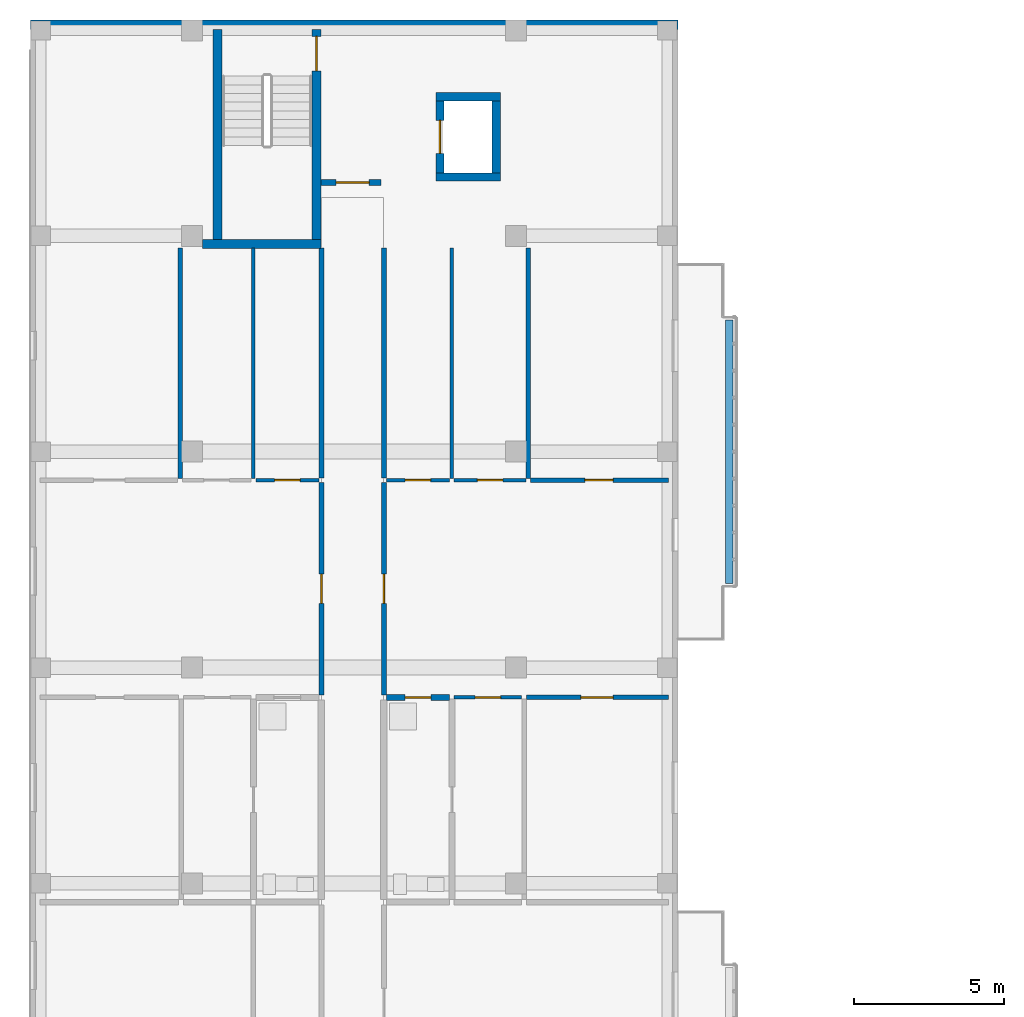
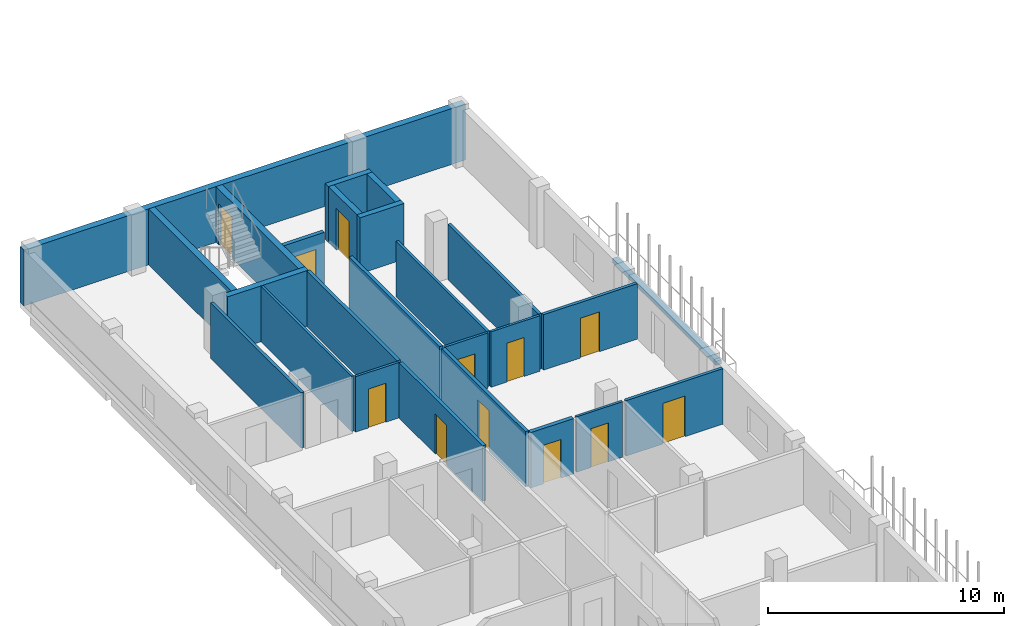
# One storey, part 32 of 56: 25 walls, 12 doors, 12 openings.
"""IFC4 building model written with IfcOpenShell, lengths in metres."""

from ifc_helpers import new_model, si_unit, derived_unit, direction, frame, frame_2d, origin, place, context, subcontext, project, spatial, rectangle, extrude, material, layer, layer_set, type_object, element, fill, save


model = new_model("IFC4")

# Units and contexts
model_context = context("Model", 3, precision=1e-05, world=origin(), true_north=direction((0.0, 1.0)))
body_context = subcontext(model_context, "Body", "Model", "MODEL_VIEW")
ifc_project = project(units=[si_unit("LENGTHUNIT", "METRE"), si_unit("AREAUNIT", "SQUARE_METRE"), si_unit("VOLUMEUNIT", "CUBIC_METRE"), si_unit("PLANEANGLEUNIT", "RADIAN"), si_unit("MASSUNIT", "GRAM", prefix="KILO"), derived_unit("THERMALTRANSMITTANCEUNIT", [(si_unit("MASSUNIT", "GRAM", prefix="KILO"), 1), (si_unit("TIMEUNIT", "SECOND"), -3), (si_unit("THERMODYNAMICTEMPERATUREUNIT", "KELVIN"), -1)])], contexts=[model_context])

# Site, building, storey
site_placement = place(None, origin())
site = spatial("IfcSite", under=ifc_project, at=site_placement, CompositionType="ELEMENT")
building_placement = place(site_placement, origin())
building = spatial("IfcBuilding", under=site, at=building_placement, Name="Ochrekiln Boulevard Commons", CompositionType="ELEMENT")
storey_placement = place(building_placement, frame((0.0, 0.0, 12.074951171875)))
storey = spatial("IfcBuildingStorey", under=building, at=storey_placement, Name="L03", CompositionType="ELEMENT", Elevation=12.074951171875)

# Wall
ifc_material_1 = material(Name="Desert ochre clinker brick masonry ASTM C216 Grade SW", Category="masonry")
ifc_layer_1 = layer(ifc_material_1, 0.320068359375)
ifc_layer_set_1 = layer_set([ifc_layer_1], Name="Desert ochre clinker brick masonry ASTM C216 Grade SW")
wall_type_1 = type_object("IfcWallType", Name="WL-EXT-OCHRE-320", PredefinedType="SOLIDWALL", material=ifc_layer_set_1)
wall_1_placement = place(storey_placement, frame((0.0, 118.639892578125, 0.0), z_axis=(0.0, 0.0, 1.0), x_axis=(1.0, 0.0, 0.0)))
element("IfcWall", 1, at=wall_1_placement, inside=storey, type_object=wall_type_1, Name="Block A L03 N Exterior Wall", PredefinedType="SOLIDWALL", context=body_context, shape_type="SweptSolid", body=[
    extrude(rectangle(XDim=21.60009765625, YDim=0.320068359375, at=frame_2d((10.800048828125, 0.0))), origin(), (0.0, 0.0, 1.0), 2.89013671875),
])

# Wall, opening, door
ifc_material_2 = material(Name="Moisture-resistant cementitious tile backer wall")
ifc_layer_2 = layer(ifc_material_2, 0.199951171875)
ifc_layer_set_2 = layer_set([ifc_layer_2], Name="Moisture-resistant cementitious tile backer wall")
wall_type_2 = type_object("IfcWallType", Name="WL-PLM-200", PredefinedType="PLUMBINGWALL", material=ifc_layer_set_2)
wall_2_placement = place(storey_placement, frame((11.8720703125, 96.2041015625, 0.0), z_axis=(0.0, 0.0, 1.0), x_axis=(1.0, 0.0, 0.0)))
wall_2 = element("IfcWall", 2, at=wall_2_placement, inside=storey, type_object=wall_type_2, Name="L03 Interior Wall W-PW200", PredefinedType="PLUMBINGWALL", context=body_context, shape_type="SweptSolid", body=[
    extrude(rectangle(XDim=2.10791015625, YDim=0.199951171875, at=frame_2d((1.053955078125, 0.0))), origin(), (0.0, 0.0, 1.0), 2.8701171875),
])
opening_1_placement = place(wall_2_placement, frame((0.6279296875, 0.0, 0.0)))
opening_1 = element("IfcOpeningElement", 3, at=opening_1_placement, cuts=wall_2, Name="Opening D-L03-465", PredefinedType="OPENING", context=body_context, shape_type="SweptSolid", body=[
    extrude(rectangle(XDim=0.860107421875, YDim=2.0, at=frame_2d((0.43017578125, 1.0))), frame((0.0, 0.10986328125, 0.0), z_axis=(0.0, -1.0, 0.0), x_axis=(1.0, 0.0, 0.0)), (0.0, 0.0, 1.0), 0.219970703125),
])
ifc_material_3 = material(Name="Solid core architectural oak door leaf")
door_type_1 = type_object("IfcDoorType", Name="DR-INT-BTH-086", OperationType="NOTDEFINED", PredefinedType="DOOR", material=ifc_material_3)
door_1_placement = place(opening_1_placement, frame((0.860107421875, 0.0, 0.0), z_axis=(0.0, 0.0, 1.0), x_axis=(-1.0, 0.0, 0.0)))
door_1 = element("IfcDoor", 4, at=door_1_placement, inside=storey, type_object=door_type_1, Name="L03 Interior Door to Apartment Bathroom", OperationType="SINGLE_SWING_LEFT", OverallHeight=2.0, OverallWidth=0.860107421875, PredefinedType="DOOR", context=body_context, shape_type="SweptSolid", body=[
    extrude(rectangle(XDim=0.860107421875, YDim=2.0, at=frame_2d((0.43017578125, 1.0))), frame((0.0, 0.02490234375, 0.0), z_axis=(0.0, -1.0, 0.0), x_axis=(1.0, 0.0, 0.0)), (0.0, 0.0, 1.0), 0.050048828125),
])
fill(opening_1, door_1)

# Wall
ifc_material_4 = material(Name="Glazed architectural terracotta ASTM C1405", Category="masonry")
ifc_layer_3 = layer(ifc_material_4, 0.25)
ifc_layer_set_3 = layer_set([ifc_layer_3], Name="Glazed architectural terracotta ASTM C1405")
wall_type_3 = type_object("IfcWallType", Name="WL-PLN-250", PredefinedType="PARAPET", material=ifc_layer_set_3)
wall_3_placement = place(storey_placement, frame((23.320068359375, 100.010009765625, 0.0), z_axis=(0.0, 0.0, 1.0), x_axis=(0.0, 1.0, 0.0)))
element("IfcWall", 5, at=wall_3_placement, inside=storey, type_object=wall_type_3, Name="Block A L03 Balcony Terracotta Planter Box 2", PredefinedType="PARAPET", context=body_context, shape_type="SweptSolid", body=[
    extrude(rectangle(XDim=8.780029296875, YDim=0.25, at=frame_2d((4.39013671875, 0.0))), origin(), (0.0, 0.0, 1.0), 0.22998046875),
])

# Wall, opening, door
ifc_material_5 = material(Name="Fire-rated Type X gypsum board on steel studs", Category="steel")
ifc_layer_4 = layer(ifc_material_5, 0.1650390625)
ifc_layer_set_4 = layer_set([ifc_layer_4], Name="Fire-rated Type X gypsum board on steel studs")
wall_type_4 = type_object("IfcWallType", Name="WL-PT-CORR-165", PredefinedType="PARTITIONING", material=ifc_layer_set_4)
wall_4_placement = place(storey_placement, frame((9.7099609375, 96.283935546875, 0.0), z_axis=(0.0, 0.0, 1.0), x_axis=(0.0, 1.0, 0.0)))
wall_4 = element("IfcWall", 6, at=wall_4_placement, inside=storey, type_object=wall_type_4, Name="L03 Interior Wall W-PC165", PredefinedType="PARTITIONING", context=body_context, shape_type="SweptSolid", body=[
    extrude(rectangle(XDim=7.086181640625, YDim=0.1650390625, at=frame_2d((3.54296875, 0.0))), origin(), (0.0, 0.0, 1.0), 2.8701171875),
])
opening_2_placement = place(wall_4_placement, frame((3.052978515625, 0.0, 0.0)))
opening_2 = element("IfcOpeningElement", 7, at=opening_2_placement, cuts=wall_4, Name="Opening D-L03-450", PredefinedType="OPENING", context=body_context, shape_type="SweptSolid", body=[
    extrude(rectangle(XDim=0.97998046875, YDim=2.080078125, at=frame_2d((0.489990234375, 1.0400390625))), frame((0.0, 0.092529296875, 0.0), z_axis=(0.0, -1.0, 0.0), x_axis=(1.0, 0.0, 0.0)), (0.0, 0.0, 1.0), 0.18505859375),
])
door_type_2 = type_object("IfcDoorType", Name="DR-APT-60", OperationType="NOTDEFINED", PredefinedType="DOOR", material=ifc_material_3)
door_2_placement = place(opening_2_placement, origin())
door_2 = element("IfcDoor", 8, at=door_2_placement, inside=storey, type_object=door_type_2, Name="L03 Interior Door to Two-Bedroom Apartment Living Room", OperationType="SINGLE_SWING_RIGHT", OverallHeight=2.080078125, OverallWidth=0.97998046875, PredefinedType="DOOR", context=body_context, shape_type="SweptSolid", body=[
    extrude(rectangle(XDim=0.97998046875, YDim=2.080078125, at=frame_2d((0.489990234375, 1.0400390625))), frame((0.0, 0.02490234375, 0.0), z_axis=(0.0, -1.0, 0.0), x_axis=(1.0, 0.0, 0.0)), (0.0, 0.0, 1.0), 0.050048828125),
])
fill(opening_2, door_2)

# Wall
wall_5_placement = place(storey_placement, frame((9.7099609375, 103.530029296875, 0.0), z_axis=(0.0, 0.0, 1.0), x_axis=(0.0, 1.0, 0.0)))
element("IfcWall", 9, at=wall_5_placement, inside=storey, type_object=wall_type_4, Name="L03 Interior Wall W-PC165", PredefinedType="PARTITIONING", context=body_context, shape_type="SweptSolid", body=[
    extrude(rectangle(XDim=7.669921875, YDim=0.1650390625, at=frame_2d((3.8349609375, 0.0))), origin(), (0.0, 0.0, 1.0), 2.8701171875),
])

# Wall, opening, door
wall_6_placement = place(storey_placement, frame((11.7900390625, 96.283935546875, 0.0), z_axis=(0.0, 0.0, 1.0), x_axis=(0.0, 1.0, 0.0)))
wall_6 = element("IfcWall", 10, at=wall_6_placement, inside=storey, type_object=wall_type_4, Name="L03 Interior Wall W-PC165", PredefinedType="PARTITIONING", context=body_context, shape_type="SweptSolid", body=[
    extrude(rectangle(XDim=7.086181640625, YDim=0.1650390625, at=frame_2d((3.54296875, 0.0))), origin(), (0.0, 0.0, 1.0), 2.8701171875),
])
opening_3_placement = place(wall_6_placement, frame((3.052978515625, 0.0, 0.0)))
opening_3 = element("IfcOpeningElement", 11, at=opening_3_placement, cuts=wall_6, Name="Opening D-L03-453", PredefinedType="OPENING", context=body_context, shape_type="SweptSolid", body=[
    extrude(rectangle(XDim=0.97998046875, YDim=2.080078125, at=frame_2d((0.489990234375, 1.0400390625))), frame((0.0, 0.092529296875, 0.0), z_axis=(0.0, -1.0, 0.0), x_axis=(1.0, 0.0, 0.0)), (0.0, 0.0, 1.0), 0.18505859375),
])
door_3_placement = place(opening_3_placement, frame((0.97998046875, 0.0, 0.0), z_axis=(0.0, 0.0, 1.0), x_axis=(-1.0, 0.0, 0.0)))
door_3 = element("IfcDoor", 12, at=door_3_placement, inside=storey, type_object=door_type_2, Name="L03 Interior Door to Two-Bedroom Apartment Living Room", OperationType="SINGLE_SWING_LEFT", OverallHeight=2.080078125, OverallWidth=0.97998046875, PredefinedType="DOOR", context=body_context, shape_type="SweptSolid", body=[
    extrude(rectangle(XDim=0.97998046875, YDim=2.080078125, at=frame_2d((0.489990234375, 1.0400390625))), frame((0.0, 0.02490234375, 0.0), z_axis=(0.0, -1.0, 0.0), x_axis=(1.0, 0.0, 0.0)), (0.0, 0.0, 1.0), 0.050048828125),
])
fill(opening_3, door_3)

# Wall
wall_7_placement = place(storey_placement, frame((11.7900390625, 103.530029296875, 0.0), z_axis=(0.0, 0.0, 1.0), x_axis=(0.0, 1.0, 0.0)))
element("IfcWall", 13, at=wall_7_placement, inside=storey, type_object=wall_type_4, Name="L03 Interior Wall W-PC165", PredefinedType="PARTITIONING", context=body_context, shape_type="SweptSolid", body=[
    extrude(rectangle(XDim=7.669921875, YDim=0.1650390625, at=frame_2d((3.8349609375, 0.0))), origin(), (0.0, 0.0, 1.0), 2.8701171875),
])

# Wall, opening, door
ifc_layer_5 = layer(ifc_material_5, 0.18994140625)
ifc_layer_set_5 = layer_set([ifc_layer_5], Name="Fire-rated Type X gypsum board on steel studs")
wall_type_5 = type_object("IfcWallType", Name="WL-PT-LBY-190", PredefinedType="PARTITIONING", material=ifc_layer_set_5)
wall_8_placement = place(storey_placement, frame((9.699951171875, 113.3798828125, 0.0), z_axis=(0.0, 0.0, 1.0), x_axis=(1.0, 0.0, 0.0)))
wall_8 = element("IfcWall", 14, at=wall_8_placement, inside=storey, type_object=wall_type_5, Name="L03 Interior Wall W-PL190", PredefinedType="PARTITIONING", context=body_context, shape_type="SweptSolid", body=[
    extrude(rectangle(XDim=2.0, YDim=0.18994140625, at=frame_2d((1.0, 0.0))), origin(), (0.0, 0.0, 1.0), 2.8701171875),
])
opening_4_placement = place(wall_8_placement, frame((0.5, 0.0, 0.0)))
opening_4 = element("IfcOpeningElement", 15, at=opening_4_placement, cuts=wall_8, Name="Opening D-L03-447", PredefinedType="OPENING", context=body_context, shape_type="SweptSolid", body=[
    extrude(rectangle(XDim=1.10009765625, YDim=2.1201171875, at=frame_2d((0.550048828125, 1.06005859375))), frame((0.0, 0.10498046875, 0.0), z_axis=(0.0, -1.0, 0.0), x_axis=(1.0, 0.0, 0.0)), (0.0, 0.0, 1.0), 0.2099609375),
])
ifc_material_6 = material(Name="Hollow metal fire-rated steel door assembly", Category="steel")
door_type_3 = type_object("IfcDoorType", Name="DR-LOBBY-60", OperationType="NOTDEFINED", PredefinedType="DOOR", material=ifc_material_6)
door_4_placement = place(opening_4_placement, origin())
door_4 = element("IfcDoor", 16, at=door_4_placement, inside=storey, type_object=door_type_3, Name="L03 Interior Door to Fire Service Access Elevator Lobby", OperationType="SINGLE_SWING_LEFT", OverallHeight=2.1201171875, OverallWidth=1.10009765625, PredefinedType="DOOR", context=body_context, shape_type="SweptSolid", body=[
    extrude(rectangle(XDim=1.10009765625, YDim=2.1201171875, at=frame_2d((0.550048828125, 1.06005859375))), frame((0.0, 0.02490234375, 0.0), z_axis=(0.0, -1.0, 0.0), x_axis=(1.0, 0.0, 0.0)), (0.0, 0.0, 1.0), 0.050048828125),
])
fill(opening_4, door_4)

ifc_layer_6 = layer(ifc_material_5, 0.1201171875)
ifc_layer_set_6 = layer_set([ifc_layer_6], Name="Fire-rated Type X gypsum board on steel studs")
wall_type_6 = type_object("IfcWallType", Name="WL-PT-LGT-120", PredefinedType="PARTITIONING", material=ifc_layer_set_6)
wall_9_placement = place(storey_placement, frame((7.52001953125, 103.449951171875, 0.0), z_axis=(0.0, 0.0, 1.0), x_axis=(1.0, 0.0, 0.0)))
wall_9 = element("IfcWall", 17, at=wall_9_placement, inside=storey, type_object=wall_type_6, Name="L03 Interior Wall W-PL120", PredefinedType="PARTITIONING", context=body_context, shape_type="SweptSolid", body=[
    extrude(rectangle(XDim=2.10791015625, YDim=0.1201171875, at=frame_2d((1.053955078125, 0.0))), origin(), (0.0, 0.0, 1.0), 2.8701171875),
])
opening_5_placement = place(wall_9_placement, frame((0.625, 0.0, 0.0)))
opening_5 = element("IfcOpeningElement", 18, at=opening_5_placement, cuts=wall_9, Name="Opening D-L03-459", PredefinedType="OPENING", context=body_context, shape_type="SweptSolid", body=[
    extrude(rectangle(XDim=0.85009765625, YDim=2.010009765625, at=frame_2d((0.425048828125, 1.0048828125))), frame((0.0, 0.070068359375, 0.0), z_axis=(0.0, -1.0, 0.0), x_axis=(1.0, 0.0, 0.0)), (0.0, 0.0, 1.0), 0.14013671875),
])
door_type_4 = type_object("IfcDoorType", Name="DR-INT-KIT-085", OperationType="NOTDEFINED", PredefinedType="DOOR", material=ifc_material_3)
door_5_placement = place(opening_5_placement, origin())
door_5 = element("IfcDoor", 19, at=door_5_placement, inside=storey, type_object=door_type_4, Name="L03 Interior Door to Apartment Kitchen", OperationType="SINGLE_SWING_LEFT", OverallHeight=2.010009765625, OverallWidth=0.85009765625, PredefinedType="DOOR", context=body_context, shape_type="SweptSolid", body=[
    extrude(rectangle(XDim=0.85009765625, YDim=2.010009765625, at=frame_2d((0.425048828125, 1.0048828125))), frame((0.0, 0.02490234375, 0.0), z_axis=(0.0, -1.0, 0.0), x_axis=(1.0, 0.0, 0.0)), (0.0, 0.0, 1.0), 0.050048828125),
])
fill(opening_5, door_5)

# Wall
wall_10_placement = place(storey_placement, frame((7.43994140625, 103.510009765625, 0.0), z_axis=(0.0, 0.0, 1.0), x_axis=(0.0, 1.0, 0.0)))
element("IfcWall", 20, at=wall_10_placement, inside=storey, type_object=wall_type_6, Name="L03 Interior Wall W-PL120", PredefinedType="PARTITIONING", context=body_context, shape_type="SweptSolid", body=[
    extrude(rectangle(XDim=7.68994140625, YDim=0.1201171875, at=frame_2d((3.844970703125, 0.0))), origin(), (0.0, 0.0, 1.0), 2.8701171875),
])

# Wall, opening, door
wall_11_placement = place(storey_placement, frame((11.8720703125, 103.449951171875, 0.0), z_axis=(0.0, 0.0, 1.0), x_axis=(1.0, 0.0, 0.0)))
wall_11 = element("IfcWall", 21, at=wall_11_placement, inside=storey, type_object=wall_type_6, Name="L03 Interior Wall W-PL120", PredefinedType="PARTITIONING", context=body_context, shape_type="SweptSolid", body=[
    extrude(rectangle(XDim=2.10791015625, YDim=0.1201171875, at=frame_2d((1.053955078125, 0.0))), origin(), (0.0, 0.0, 1.0), 2.8701171875),
])
opening_6_placement = place(wall_11_placement, frame((0.633056640625, 0.0, 0.0)))
opening_6 = element("IfcOpeningElement", 22, at=opening_6_placement, cuts=wall_11, Name="Opening D-L03-466", PredefinedType="OPENING", context=body_context, shape_type="SweptSolid", body=[
    extrude(rectangle(XDim=0.85009765625, YDim=2.010009765625, at=frame_2d((0.425048828125, 1.0048828125))), frame((0.0, 0.070068359375, 0.0), z_axis=(0.0, -1.0, 0.0), x_axis=(1.0, 0.0, 0.0)), (0.0, 0.0, 1.0), 0.14013671875),
])
door_6_placement = place(opening_6_placement, origin())
door_6 = element("IfcDoor", 23, at=door_6_placement, inside=storey, type_object=door_type_4, Name="L03 Interior Door to Apartment Kitchen", OperationType="SINGLE_SWING_RIGHT", OverallHeight=2.010009765625, OverallWidth=0.85009765625, PredefinedType="DOOR", context=body_context, shape_type="SweptSolid", body=[
    extrude(rectangle(XDim=0.85009765625, YDim=2.010009765625, at=frame_2d((0.425048828125, 1.0048828125))), frame((0.0, 0.02490234375, 0.0), z_axis=(0.0, -1.0, 0.0), x_axis=(1.0, 0.0, 0.0)), (0.0, 0.0, 1.0), 0.050048828125),
])
fill(opening_6, door_6)

wall_12_placement = place(storey_placement, frame((14.139892578125, 96.2041015625, 0.0), z_axis=(0.0, 0.0, 1.0), x_axis=(1.0, 0.0, 0.0)))
wall_12 = element("IfcWall", 24, at=wall_12_placement, inside=storey, type_object=wall_type_6, Name="L03 Interior Wall W-PL120", PredefinedType="PARTITIONING", context=body_context, shape_type="SweptSolid", body=[
    extrude(rectangle(XDim=2.25, YDim=0.1201171875, at=frame_2d((1.125, 0.0))), origin(), (0.0, 0.0, 1.0), 2.8701171875),
])
opening_7_placement = place(wall_12_placement, frame((0.699951171875, 0.0, 0.0)))
opening_7 = element("IfcOpeningElement", 25, at=opening_7_placement, cuts=wall_12, Name="Opening D-L03-468", PredefinedType="OPENING", context=body_context, shape_type="SweptSolid", body=[
    extrude(rectangle(XDim=0.85009765625, YDim=2.010009765625, at=frame_2d((0.425048828125, 1.0048828125))), frame((0.0, 0.070068359375, 0.0), z_axis=(0.0, -1.0, 0.0), x_axis=(1.0, 0.0, 0.0)), (0.0, 0.0, 1.0), 0.14013671875),
])
door_7_placement = place(opening_7_placement, frame((0.85009765625, 0.0, 0.0), z_axis=(0.0, 0.0, 1.0), x_axis=(-1.0, 0.0, 0.0)))
door_7 = element("IfcDoor", 26, at=door_7_placement, inside=storey, type_object=door_type_4, Name="L03 Interior Door to Apartment Walk-In Wardrobe", OperationType="SINGLE_SWING_RIGHT", OverallHeight=2.010009765625, OverallWidth=0.85009765625, PredefinedType="DOOR", context=body_context, shape_type="SweptSolid", body=[
    extrude(rectangle(XDim=0.85009765625, YDim=2.010009765625, at=frame_2d((0.425048828125, 1.0048828125))), frame((0.0, 0.02490234375, 0.0), z_axis=(0.0, -1.0, 0.0), x_axis=(1.0, 0.0, 0.0)), (0.0, 0.0, 1.0), 0.050048828125),
])
fill(opening_7, door_7)

wall_13_placement = place(storey_placement, frame((14.139892578125, 103.449951171875, 0.0), z_axis=(0.0, 0.0, 1.0), x_axis=(1.0, 0.0, 0.0)))
wall_13 = element("IfcWall", 27, at=wall_13_placement, inside=storey, type_object=wall_type_6, Name="L03 Interior Wall W-PL120", PredefinedType="PARTITIONING", context=body_context, shape_type="SweptSolid", body=[
    extrude(rectangle(XDim=2.38720703125, YDim=0.1201171875, at=frame_2d((1.193603515625, 0.0))), origin(), (0.0, 0.0, 1.0), 2.8701171875),
])
opening_8_placement = place(wall_13_placement, frame((0.76904296875, 0.0, 0.0)))
opening_8 = element("IfcOpeningElement", 28, at=opening_8_placement, cuts=wall_13, Name="Opening D-L03-470", PredefinedType="OPENING", context=body_context, shape_type="SweptSolid", body=[
    extrude(rectangle(XDim=0.85009765625, YDim=2.010009765625, at=frame_2d((0.425048828125, 1.0048828125))), frame((0.0, 0.070068359375, 0.0), z_axis=(0.0, -1.0, 0.0), x_axis=(1.0, 0.0, 0.0)), (0.0, 0.0, 1.0), 0.14013671875),
])
door_8_placement = place(opening_8_placement, origin())
door_8 = element("IfcDoor", 29, at=door_8_placement, inside=storey, type_object=door_type_4, Name="L03 Interior Door to Apartment Walk-In Wardrobe", OperationType="SINGLE_SWING_RIGHT", OverallHeight=2.010009765625, OverallWidth=0.85009765625, PredefinedType="DOOR", context=body_context, shape_type="SweptSolid", body=[
    extrude(rectangle(XDim=0.85009765625, YDim=2.010009765625, at=frame_2d((0.425048828125, 1.0048828125))), frame((0.0, 0.02490234375, 0.0), z_axis=(0.0, -1.0, 0.0), x_axis=(1.0, 0.0, 0.0)), (0.0, 0.0, 1.0), 0.050048828125),
])
fill(opening_8, door_8)

# Walls
wall_14_placement = place(storey_placement, frame((14.06005859375, 103.510009765625, 0.0), z_axis=(0.0, 0.0, 1.0), x_axis=(0.0, 1.0, 0.0)))
element("IfcWall", 30, at=wall_14_placement, inside=storey, type_object=wall_type_6, Name="L03 Interior Wall W-PL120", PredefinedType="PARTITIONING", context=body_context, shape_type="SweptSolid", body=[
    extrude(rectangle(XDim=7.68994140625, YDim=0.1201171875, at=frame_2d((3.844970703125, 0.0))), origin(), (0.0, 0.0, 1.0), 2.8701171875),
])
ifc_layer_7 = layer(ifc_material_5, 0.14990234375)
ifc_layer_set_7 = layer_set([ifc_layer_7], Name="Fire-rated Type X gypsum board on steel studs")
wall_type_7 = type_object("IfcWallType", Name="WL-PT-STD-150", PredefinedType="PARTITIONING", material=ifc_layer_set_7)
wall_15_placement = place(storey_placement, frame((4.992919921875, 103.510009765625, 0.0), z_axis=(0.0, 0.0, 1.0), x_axis=(0.0, 1.0, 0.0)))
element("IfcWall", 31, at=wall_15_placement, inside=storey, type_object=wall_type_7, Name="L03 Interior Wall W-PS150", PredefinedType="PARTITIONING", context=body_context, shape_type="SweptSolid", body=[
    extrude(rectangle(XDim=7.68994140625, YDim=0.14990234375, at=frame_2d((3.844970703125, 0.0))), origin(), (0.0, 0.0, 1.0), 2.8701171875),
])

# Wall, opening, door
wall_16_placement = place(storey_placement, frame((16.550048828125, 96.2041015625, 0.0), z_axis=(0.0, 0.0, 1.0), x_axis=(1.0, 0.0, 0.0)))
wall_16 = element("IfcWall", 32, at=wall_16_placement, inside=storey, type_object=wall_type_7, Name="L03 Interior Wall W-PS150", PredefinedType="PARTITIONING", context=body_context, shape_type="SweptSolid", body=[
    extrude(rectangle(XDim=4.72998046875, YDim=0.14990234375, at=frame_2d((2.364990234375, 0.0))), origin(), (0.0, 0.0, 1.0), 2.8701171875),
])
opening_9_placement = place(wall_16_placement, frame((1.81005859375, 0.0, 0.0)))
opening_9 = element("IfcOpeningElement", 33, at=opening_9_placement, cuts=wall_16, Name="Opening D-L03-467", PredefinedType="OPENING", context=body_context, shape_type="SweptSolid", body=[
    extrude(rectangle(XDim=1.080078125, YDim=2.10009765625, at=frame_2d((0.5400390625, 1.050048828125))), frame((0.0, 0.0849609375, 0.0), z_axis=(0.0, -1.0, 0.0), x_axis=(1.0, 0.0, 0.0)), (0.0, 0.0, 1.0), 0.169921875),
])
door_type_5 = type_object("IfcDoorType", Name="DR-INT-BED-108", OperationType="NOTDEFINED", PredefinedType="DOOR", material=ifc_material_3)
door_9_placement = place(opening_9_placement, frame((1.080078125, 0.0, 0.0), z_axis=(0.0, 0.0, 1.0), x_axis=(-1.0, 0.0, 0.0)))
door_9 = element("IfcDoor", 34, at=door_9_placement, inside=storey, type_object=door_type_5, Name="L03 Interior Door to Primary Apartment Bedroom", OperationType="SINGLE_SWING_LEFT", OverallHeight=2.10009765625, OverallWidth=1.080078125, PredefinedType="DOOR", context=body_context, shape_type="SweptSolid", body=[
    extrude(rectangle(XDim=1.080078125, YDim=2.10009765625, at=frame_2d((0.5400390625, 1.050048828125))), frame((0.0, 0.02490234375, 0.0), z_axis=(0.0, -1.0, 0.0), x_axis=(1.0, 0.0, 0.0)), (0.0, 0.0, 1.0), 0.050048828125),
])
fill(opening_9, door_9)

wall_17_placement = place(storey_placement, frame((16.68701171875, 103.449951171875, 0.0), z_axis=(0.0, 0.0, 1.0), x_axis=(1.0, 0.0, 0.0)))
wall_17 = element("IfcWall", 35, at=wall_17_placement, inside=storey, type_object=wall_type_7, Name="L03 Interior Wall W-PS150", PredefinedType="PARTITIONING", context=body_context, shape_type="SweptSolid", body=[
    extrude(rectangle(XDim=4.593017578125, YDim=0.14990234375, at=frame_2d((2.29638671875, 0.0))), origin(), (0.0, 0.0, 1.0), 2.8701171875),
])
opening_10_placement = place(wall_17_placement, frame((1.81103515625, 0.0, 0.0)))
opening_10 = element("IfcOpeningElement", 36, at=opening_10_placement, cuts=wall_17, Name="Opening D-L03-469", PredefinedType="OPENING", context=body_context, shape_type="SweptSolid", body=[
    extrude(rectangle(XDim=0.93994140625, YDim=2.06005859375, at=frame_2d((0.469970703125, 1.030029296875))), frame((0.0, 0.0849609375, 0.0), z_axis=(0.0, -1.0, 0.0), x_axis=(1.0, 0.0, 0.0)), (0.0, 0.0, 1.0), 0.169921875),
])
door_type_6 = type_object("IfcDoorType", Name="DR-INT-BED-094", OperationType="NOTDEFINED", PredefinedType="DOOR", material=ifc_material_3)
door_10_placement = place(opening_10_placement, origin())
door_10 = element("IfcDoor", 37, at=door_10_placement, inside=storey, type_object=door_type_6, Name="L03 Interior Door to Secondary Apartment Bedroom", OperationType="SINGLE_SWING_LEFT", OverallHeight=2.06005859375, OverallWidth=0.93994140625, PredefinedType="DOOR", context=body_context, shape_type="SweptSolid", body=[
    extrude(rectangle(XDim=0.93994140625, YDim=2.06005859375, at=frame_2d((0.469970703125, 1.030029296875))), frame((0.0, 0.02490234375, 0.0), z_axis=(0.0, -1.0, 0.0), x_axis=(1.0, 0.0, 0.0)), (0.0, 0.0, 1.0), 0.050048828125),
])
fill(opening_10, door_10)

# Walls
wall_18_placement = place(storey_placement, frame((16.60693359375, 103.510009765625, 0.0), z_axis=(0.0, 0.0, 1.0), x_axis=(0.0, 1.0, 0.0)))
element("IfcWall", 38, at=wall_18_placement, inside=storey, type_object=wall_type_7, Name="L03 Interior Wall W-PS150", PredefinedType="PARTITIONING", context=body_context, shape_type="SweptSolid", body=[
    extrude(rectangle(XDim=7.68994140625, YDim=0.14990234375, at=frame_2d((3.844970703125, 0.0))), origin(), (0.0, 0.0, 1.0), 2.8701171875),
])
ifc_material_7 = material(Name="Concrete C40/50", Category="concrete")
ifc_layer_8 = layer(ifc_material_7, 0.27490234375)
ifc_layer_set_8 = layer_set([ifc_layer_8], Name="Concrete C40/50")
wall_type_8 = type_object("IfcWallType", Name="WL-SH-275", PredefinedType="SHEAR", material=ifc_layer_set_8)
for number, where, z_axis, x_axis, name in (
    (39, (13.52490234375, 113.5625, 0.0), (0.0, 0.0, 1.0), (1.0, 0.0, 0.0), "Elevator FF-A2 L03 Hoistway Shear Wall"),
    (40, (13.52490234375, 116.237548828125, 0.0), (0.0, 0.0, 1.0), (1.0, 0.0, 0.0), "Elevator FF-A2 L03 Hoistway Shear Wall"),
):
    element("IfcWall", number, at=place(storey_placement, frame(where, z_axis=z_axis, x_axis=x_axis)), inside=storey, type_object=wall_type_8, Name=name, PredefinedType="SHEAR", context=body_context, shape_type="SweptSolid", body=[
        extrude(rectangle(XDim=2.150146484375, YDim=0.27490234375, at=frame_2d((1.0751953125, 0.0))), origin(), (0.0, 0.0, 1.0), 2.89013671875),
    ])

# Wall, opening, door
wall_19_placement = place(storey_placement, frame((13.66259765625, 113.699951171875, 0.0), z_axis=(0.0, 0.0, 1.0), x_axis=(0.0, 1.0, 0.0)))
wall_19 = element("IfcWall", 41, at=wall_19_placement, inside=storey, type_object=wall_type_8, Name="Elevator FF-A2 L03 Hoistway Shear Wall", PredefinedType="SHEAR", context=body_context, shape_type="SweptSolid", body=[
    extrude(rectangle(XDim=2.400146484375, YDim=0.27490234375, at=frame_2d((1.2001953125, 0.0))), origin(), (0.0, 0.0, 1.0), 2.89013671875),
])
opening_11_placement = place(wall_19_placement, frame((0.64990234375, 0.0, 0.0)))
opening_11 = element("IfcOpeningElement", 42, at=opening_11_placement, cuts=wall_19, Name="Opening LD-FF-A2-L03", PredefinedType="OPENING", context=body_context, shape_type="SweptSolid", body=[
    extrude(rectangle(XDim=1.10009765625, YDim=2.14990234375, at=frame_2d((0.550048828125, 1.074951171875))), frame((0.0, 0.1474609375, 0.0), z_axis=(0.0, -1.0, 0.0), x_axis=(1.0, 0.0, 0.0)), (0.0, 0.0, 1.0), 0.294921875),
])
ifc_material_8 = material(Name="Brushed stainless steel 316 elevator cab and doors", Category="steel")
door_type_7 = type_object("IfcDoorType", Name="DR-LIFT-LD90", OperationType="SLIDING_TO_LEFT", PredefinedType="DOOR", material=ifc_material_8)
door_11_placement = place(opening_11_placement, origin())
door_11 = element("IfcDoor", 43, at=door_11_placement, inside=storey, type_object=door_type_7, Name="Elevator FF-A2 L03 Sliding Landing Door LD-FF-A2-L03", OperationType="SLIDING_TO_LEFT", OverallHeight=2.14990234375, OverallWidth=1.10009765625, PredefinedType="DOOR", context=body_context, shape_type="SweptSolid", body=[
    extrude(rectangle(XDim=1.10009765625, YDim=2.14990234375, at=frame_2d((0.550048828125, 1.074951171875))), frame((0.0, 0.02490234375, 0.0), z_axis=(0.0, -1.0, 0.0), x_axis=(1.0, 0.0, 0.0)), (0.0, 0.0, 1.0), 0.050048828125),
])
fill(opening_11, door_11)

# Walls
wall_20_placement = place(storey_placement, frame((15.53759765625, 113.699951171875, 0.0), z_axis=(0.0, 0.0, 1.0), x_axis=(0.0, 1.0, 0.0)))
element("IfcWall", 44, at=wall_20_placement, inside=storey, type_object=wall_type_8, Name="Elevator FF-A2 L03 Hoistway Shear Wall", PredefinedType="SHEAR", context=body_context, shape_type="SweptSolid", body=[
    extrude(rectangle(XDim=2.400146484375, YDim=0.27490234375, at=frame_2d((1.2001953125, 0.0))), origin(), (0.0, 0.0, 1.0), 2.89013671875),
])
ifc_layer_9 = layer(ifc_material_7, 0.300048828125)
ifc_layer_set_9 = layer_set([ifc_layer_9], Name="Concrete C40/50")
wall_type_9 = type_object("IfcWallType", Name="WL-SH-300", PredefinedType="SHEAR", material=ifc_layer_set_9)
wall_21_placement = place(storey_placement, frame((5.75, 111.330078125, 0.0), z_axis=(0.0, 0.0, 1.0), x_axis=(1.0, 0.0, 0.0)))
element("IfcWall", 45, at=wall_21_placement, inside=storey, type_object=wall_type_9, Name="Stair ST-A2 L03 Core Shear Wall S", PredefinedType="SHEAR", context=body_context, shape_type="SweptSolid", body=[
    extrude(rectangle(XDim=3.949951171875, YDim=0.300048828125, at=frame_2d((1.97509765625, 0.0))), origin(), (0.0, 0.0, 1.0), 2.89013671875),
])
wall_22_placement = place(storey_placement, frame((6.25, 111.47998046875, 0.0), z_axis=(0.0, 0.0, 1.0), x_axis=(0.0, 1.0, 0.0)))
element("IfcWall", 46, at=wall_22_placement, inside=storey, type_object=wall_type_9, Name="Stair ST-A2 L03 Core Shear Wall W", PredefinedType="SHEAR", context=body_context, shape_type="SweptSolid", body=[
    extrude(rectangle(XDim=7.0, YDim=0.300048828125, at=frame_2d((3.5, 0.0))), origin(), (0.0, 0.0, 1.0), 2.89013671875),
])

# Wall, opening, door
wall_23_placement = place(storey_placement, frame((9.550048828125, 111.47998046875, 0.0), z_axis=(0.0, 0.0, 1.0), x_axis=(0.0, 1.0, 0.0)))
wall_23 = element("IfcWall", 47, at=wall_23_placement, inside=storey, type_object=wall_type_9, Name="Stair ST-A2 L03 Core Shear Wall E", PredefinedType="SHEAR", context=body_context, shape_type="SweptSolid", body=[
    extrude(rectangle(XDim=7.0, YDim=0.300048828125, at=frame_2d((3.5, 0.0))), origin(), (0.0, 0.0, 1.0), 2.89013671875),
])
opening_12_placement = place(wall_23_placement, frame((5.625, 0.0, 0.0)))
opening_12 = element("IfcOpeningElement", 48, at=opening_12_placement, cuts=wall_23, Name="Opening D-L03-ST-A2", PredefinedType="OPENING", context=body_context, shape_type="SweptSolid", body=[
    extrude(rectangle(XDim=1.14990234375, YDim=2.1201171875, at=frame_2d((0.574951171875, 1.06005859375))), frame((0.0, 0.159912109375, 0.0), z_axis=(0.0, -1.0, 0.0), x_axis=(1.0, 0.0, 0.0)), (0.0, 0.0, 1.0), 0.320068359375),
])
door_type_8 = type_object("IfcDoorType", Name="DR-STAIR-90", OperationType="NOTDEFINED", PredefinedType="DOOR", material=ifc_material_6)
door_12_placement = place(opening_12_placement, origin())
door_12 = element("IfcDoor", 49, at=door_12_placement, inside=storey, type_object=door_type_8, Name="Enclosed Exit Stair ST-A2 L03 Rated Door", OperationType="SINGLE_SWING_LEFT", OverallHeight=2.1201171875, OverallWidth=1.14990234375, PredefinedType="DOOR", context=body_context, shape_type="SweptSolid", body=[
    extrude(rectangle(XDim=1.14990234375, YDim=2.1201171875, at=frame_2d((0.574951171875, 1.06005859375))), frame((0.0, 0.02490234375, 0.0), z_axis=(0.0, -1.0, 0.0), x_axis=(1.0, 0.0, 0.0)), (0.0, 0.0, 1.0), 0.050048828125),
])
fill(opening_12, door_12)

save(model, "model.ifc")
